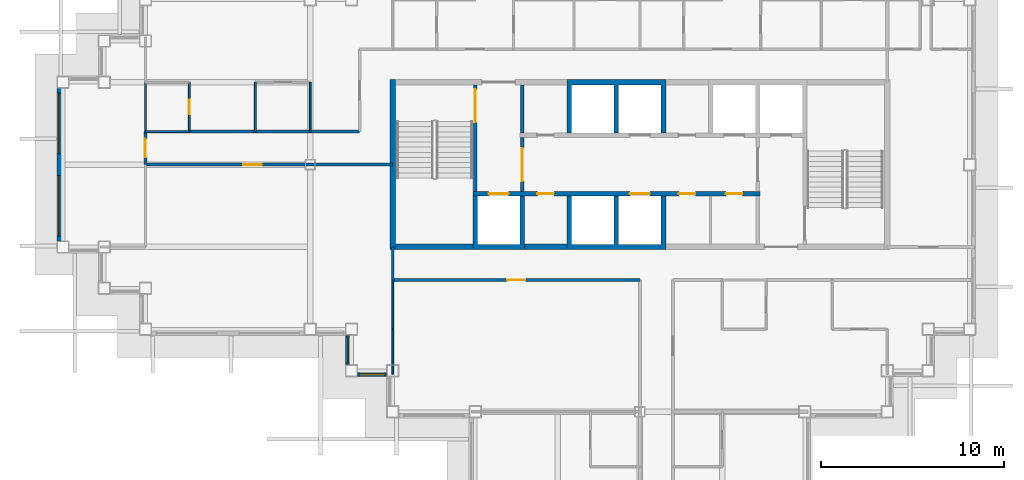
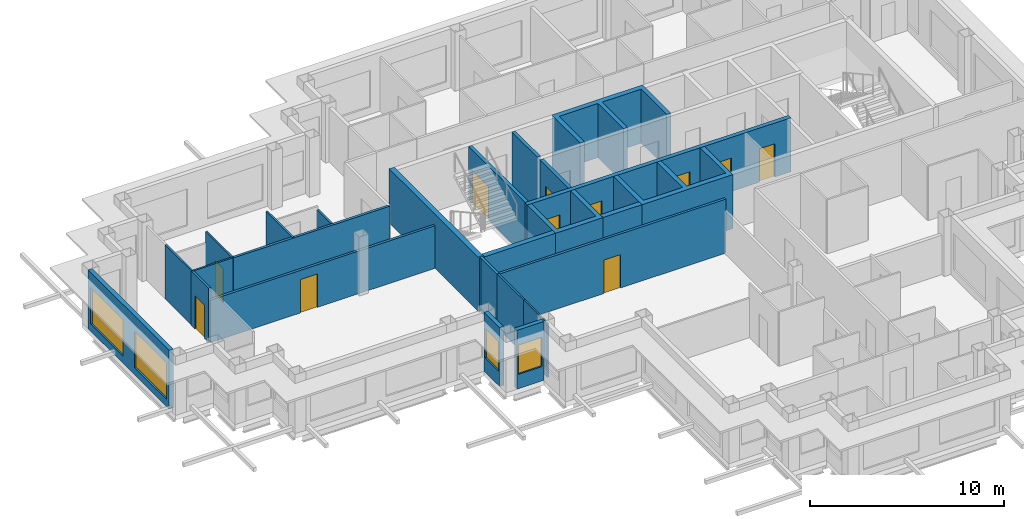
# One storey, part 3 of 12: 25 walls, 11 doors, 4 windows, 15 openings.
"""IFC4 building model written with IfcOpenShell, lengths in metres."""

from ifc_helpers import new_model, si_unit, direction, frame, frame_2d, origin, place, context, subcontext, project, spatial, polyline, rectangle, outline, extrude, material, layer, layer_set, type_object, element, fill, save


model = new_model("IFC4")

# Units and contexts
model_context = context("Model", 3, precision=1e-05, world=origin(), true_north=direction((0.0, 1.0)))
body_context = subcontext(model_context, "Body", "Model", "MODEL_VIEW")
ifc_project = project(units=[si_unit("LENGTHUNIT", "METRE"), si_unit("AREAUNIT", "SQUARE_METRE"), si_unit("VOLUMEUNIT", "CUBIC_METRE"), si_unit("PLANEANGLEUNIT", "RADIAN"), si_unit("MASSUNIT", "GRAM", prefix="KILO")], contexts=[model_context])

# Site, building, storey
site_placement = place(None, origin())
site = spatial("IfcSite", under=ifc_project, at=site_placement, CompositionType="ELEMENT")
building_placement = place(site_placement, origin())
building = spatial("IfcBuilding", under=site, at=building_placement, Name="Caravel Reach Hotel and Residences", CompositionType="ELEMENT")
storey_placement = place(building_placement, frame((0.0, 0.0, 218.300048828125)))
storey = spatial("IfcBuildingStorey", under=building, at=storey_placement, Name="L55", CompositionType="ELEMENT", Elevation=218.300048828125)

# Walls
ifc_material_1 = material(Name="Gypsum board on steel stud", Category="steel")
ifc_layer_1 = layer(ifc_material_1, 0.10009765625)
ifc_layer_set_1 = layer_set([ifc_layer_1], Name="Bathroom pod wall 100 mm")
wall_type_1 = type_object("IfcWallType", Name="Bathroom pod wall 100 mm", PredefinedType="PARTITIONING", material=ifc_layer_set_1)
wall_1_placement = place(storey_placement, frame((4.5, 28.800048828125, 0.0), z_axis=(0.0, 0.0, 1.0), x_axis=(1.0, 0.0, 0.0)))
element("IfcWall", 1, at=wall_1_placement, inside=storey, type_object=wall_type_1, Name="L55 wall w079", PredefinedType="PARTITIONING", context=body_context, shape_type="SweptSolid", body=[
    extrude(rectangle(XDim=2.39990234375, YDim=0.10009765625, at=frame_2d((1.199951171875, 0.0))), origin(), (0.0, 0.0, 1.0), 3.39990234375),
])
wall_2_placement = place(storey_placement, frame((4.5, 28.800048828125, 0.0), z_axis=(0.0, 0.0, 1.0), x_axis=(0.0, 1.0, 0.0)))
element("IfcWall", 2, at=wall_2_placement, inside=storey, type_object=wall_type_1, Name="L55 wall w102", PredefinedType="PARTITIONING", context=body_context, shape_type="SweptSolid", body=[
    extrude(rectangle(XDim=2.699951171875, YDim=0.10009765625, at=frame_2d((1.35009765625, 0.0))), origin(), (0.0, 0.0, 1.0), 3.39990234375),
])

# Wall, opening, door
wall_3_placement = place(storey_placement, frame((6.89990234375, 28.800048828125, 0.0), z_axis=(0.0, 0.0, 1.0), x_axis=(0.0, 1.0, 0.0)))
wall_3 = element("IfcWall", 3, at=wall_3_placement, inside=storey, type_object=wall_type_1, Name="L55 wall w104", PredefinedType="PARTITIONING", context=body_context, shape_type="SweptSolid", body=[
    extrude(rectangle(XDim=2.699951171875, YDim=0.10009765625, at=frame_2d((1.35009765625, 0.0))), origin(), (0.0, 0.0, 1.0), 3.39990234375),
])
opening_1_placement = place(wall_3_placement, frame((0.949951171875, 0.0, 0.0)))
opening_1 = element("IfcOpeningElement", 4, at=opening_1_placement, cuts=wall_3, Name="Opening D55-030", PredefinedType="OPENING", context=body_context, shape_type="SweptSolid", body=[
    extrude(rectangle(XDim=0.800048828125, YDim=2.10009765625, at=frame_2d((0.39990234375, 1.050048828125))), frame((0.0, 0.06005859375, 0.0), z_axis=(0.0, -1.0, 0.0), x_axis=(1.0, 0.0, 0.0)), (0.0, 0.0, 1.0), 0.1201171875),
])
ifc_material_2 = material(Name="Timber and steel door leaf", Category="steel")
door_type_1 = type_object("IfcDoorType", Name="Bathroom door 800 x 2100", OperationType="SINGLE_SWING_LEFT", PredefinedType="DOOR", material=ifc_material_2)
door_1_placement = place(opening_1_placement, origin())
door_1 = element("IfcDoor", 5, at=door_1_placement, inside=storey, type_object=door_type_1, Name="door D55-030", OperationType="SINGLE_SWING_LEFT", OverallHeight=2.10009765625, OverallWidth=0.800048828125, PredefinedType="DOOR", context=body_context, shape_type="SweptSolid", body=[
    extrude(rectangle(XDim=0.800048828125, YDim=2.10009765625, at=frame_2d((0.39990234375, 1.050048828125))), frame((0.0, 0.02490234375, 0.0), z_axis=(0.0, -1.0, 0.0), x_axis=(1.0, 0.0, 0.0)), (0.0, 0.0, 1.0), 0.050048828125),
])
fill(opening_1, door_1)

# Walls
ifc_material_3 = material(Name="Autoclaved aerated block wall")
ifc_layer_2 = layer(ifc_material_3, 0.199951171875)
ifc_layer_set_2 = layer_set([ifc_layer_2], Name="Compartment wall 200 mm EI 120")
wall_type_2 = type_object("IfcWallType", Name="Compartment wall 200 mm EI 120", PredefinedType="PARTITIONING", material=ifc_layer_set_2)
wall_4_placement = place(storey_placement, frame((25.071533203125, 28.72509765625, 0.0), z_axis=(0.0, 0.0, 1.0), x_axis=(0.0, 1.0, 0.0)))
element("IfcWall", 6, at=wall_4_placement, inside=storey, type_object=wall_type_2, Name="L55 store partition", PredefinedType="PARTITIONING", context=body_context, shape_type="SweptSolid", body=[
    extrude(rectangle(XDim=2.625, YDim=0.199951171875, at=frame_2d((1.3125, 0.0))), origin(), (0.0, 0.0, 1.0), 3.39990234375),
])
ifc_material_4 = material(Name="Concrete C60", Category="concrete")
ifc_layer_3 = layer(ifc_material_4, 0.300048828125)
ifc_layer_set_3 = layer_set([ifc_layer_3], Name="Core wall 300 mm EI 120")
wall_type_3 = type_object("IfcWallType", Name="Core wall 300 mm EI 120", PredefinedType="SHEAR", material=ifc_layer_set_3)
wall_5_placement = place(storey_placement, frame((18.14990234375, 22.5, 0.0), z_axis=(0.0, 0.0, 1.0), x_axis=(1.0, 0.0, 0.0)))
element("IfcWall", 7, at=wall_5_placement, inside=storey, type_object=wall_type_3, Name="L55 core wall S1", PredefinedType="SHEAR", context=body_context, shape_type="SweptSolid", body=[
    extrude(rectangle(XDim=4.22509765625, YDim=0.300048828125, at=frame_2d((2.112548828125, 0.0))), origin(), (0.0, 0.0, 1.0), 3.39990234375),
])
wall_6_placement = place(storey_placement, frame((25.196533203125, 22.5, 0.0), z_axis=(0.0, 0.0, 1.0), x_axis=(1.0, 0.0, 0.0)))
element("IfcWall", 8, at=wall_6_placement, inside=storey, type_object=wall_type_3, Name="L55 core wall S2", PredefinedType="SHEAR", context=body_context, shape_type="SweptSolid", body=[
    extrude(rectangle(XDim=2.3212890625, YDim=0.300048828125, at=frame_2d((1.16064453125, 0.0))), origin(), (0.0, 0.0, 1.0), 3.39990234375),
])
wall_7_placement = place(storey_placement, frame((18.0, 22.35009765625, 0.0), z_axis=(0.0, 0.0, 1.0), x_axis=(0.0, 1.0, 0.0)))
element("IfcWall", 9, at=wall_7_placement, inside=storey, type_object=wall_type_3, Name="L55 core wall W", PredefinedType="SHEAR", context=body_context, shape_type="SweptSolid", body=[
    extrude(rectangle(XDim=9.2998046875, YDim=0.300048828125, at=frame_2d((4.64990234375, 0.0))), origin(), (0.0, 0.0, 1.0), 3.39990234375),
])

# Wall, opening, door
ifc_material_5 = material(Name="Gypsum board on steel stud, fire-rated", Category="steel")
ifc_layer_4 = layer(ifc_material_5, 0.14990234375)
ifc_layer_set_4 = layer_set([ifc_layer_4], Name="Corridor wall 150 mm EI 60")
wall_type_4 = type_object("IfcWallType", Name="Corridor wall 150 mm EI 60", PredefinedType="PARTITIONING", material=ifc_layer_set_4)
wall_8_placement = place(storey_placement, frame((18.0, 20.699951171875, 0.0), z_axis=(0.0, 0.0, 1.0), x_axis=(1.0, 0.0, 0.0)))
wall_8 = element("IfcWall", 10, at=wall_8_placement, inside=storey, type_object=wall_type_4, Name="L55 wall w005", PredefinedType="PARTITIONING", context=body_context, shape_type="SweptSolid", body=[
    extrude(rectangle(XDim=13.5, YDim=0.14990234375, at=frame_2d((6.75, 0.0))), origin(), (0.0, 0.0, 1.0), 3.39990234375),
])
opening_2_placement = place(wall_8_placement, frame((6.25, 0.0, 0.0)))
opening_2 = element("IfcOpeningElement", 11, at=opening_2_placement, cuts=wall_8, Name="Opening D55-033", PredefinedType="OPENING", context=body_context, shape_type="SweptSolid", body=[
    extrude(rectangle(XDim=1.0, YDim=2.10009765625, at=frame_2d((0.5, 1.050048828125))), frame((0.0, 0.0849609375, 0.0), z_axis=(0.0, -1.0, 0.0), x_axis=(1.0, 0.0, 0.0)), (0.0, 0.0, 1.0), 0.169921875),
])
ifc_material_6 = material(Name="Steel fire door leaf", Category="steel")
door_type_2 = type_object("IfcDoorType", Name="Fire door 1000 x 2100 EI 60", OperationType="SINGLE_SWING_LEFT", PredefinedType="DOOR", material=ifc_material_6)
door_2_placement = place(opening_2_placement, origin())
door_2 = element("IfcDoor", 12, at=door_2_placement, inside=storey, type_object=door_type_2, Name="door D55-033", OperationType="SINGLE_SWING_LEFT", OverallHeight=2.10009765625, OverallWidth=1.0, PredefinedType="DOOR", context=body_context, shape_type="SweptSolid", body=[
    extrude(rectangle(XDim=1.0, YDim=2.10009765625, at=frame_2d((0.5, 1.050048828125))), frame((0.0, 0.02490234375, 0.0), z_axis=(0.0, -1.0, 0.0), x_axis=(1.0, 0.0, 0.0)), (0.0, 0.0, 1.0), 0.050048828125),
])
fill(opening_2, door_2)

wall_9_placement = place(storey_placement, frame((4.5, 27.0, 0.0), z_axis=(0.0, 0.0, 1.0), x_axis=(1.0, 0.0, 0.0)))
wall_9 = element("IfcWall", 13, at=wall_9_placement, inside=storey, type_object=wall_type_4, Name="L55 wall w007", PredefinedType="PARTITIONING", context=body_context, shape_type="SweptSolid", body=[
    extrude(rectangle(XDim=13.5, YDim=0.14990234375, at=frame_2d((6.75, 0.0))), origin(), (0.0, 0.0, 1.0), 2.679931640625),
])
opening_3_placement = place(wall_9_placement, frame((5.35009765625, 0.0, 0.0)))
opening_3 = element("IfcOpeningElement", 14, at=opening_3_placement, cuts=wall_9, Name="Opening D55-032", PredefinedType="OPENING", context=body_context, shape_type="SweptSolid", body=[
    extrude(rectangle(XDim=1.0, YDim=2.10009765625, at=frame_2d((0.5, 1.050048828125))), frame((0.0, 0.0849609375, 0.0), z_axis=(0.0, -1.0, 0.0), x_axis=(1.0, 0.0, 0.0)), (0.0, 0.0, 1.0), 0.169921875),
])
door_3_placement = place(opening_3_placement, origin())
door_3 = element("IfcDoor", 15, at=door_3_placement, inside=storey, type_object=door_type_2, Name="door D55-032", OperationType="SINGLE_SWING_LEFT", OverallHeight=2.10009765625, OverallWidth=1.0, PredefinedType="DOOR", context=body_context, shape_type="SweptSolid", body=[
    extrude(rectangle(XDim=1.0, YDim=2.10009765625, at=frame_2d((0.5, 1.050048828125))), frame((0.0, 0.02490234375, 0.0), z_axis=(0.0, -1.0, 0.0), x_axis=(1.0, 0.0, 0.0)), (0.0, 0.0, 1.0), 0.050048828125),
])
fill(opening_3, door_3)

# Walls
wall_10_placement = place(storey_placement, frame((6.89990234375, 28.800048828125, 0.0), z_axis=(0.0, 0.0, 1.0), x_axis=(1.0, 0.0, 0.0)))
element("IfcWall", 16, at=wall_10_placement, inside=storey, type_object=wall_type_4, Name="L55 wall w008", PredefinedType="PARTITIONING", context=body_context, shape_type="SweptSolid", body=[
    extrude(rectangle(XDim=9.299072265625, YDim=0.14990234375, at=frame_2d((4.6494140625, 0.0))), origin(), (0.0, 0.0, 1.0), 3.39990234375),
])
wall_11_placement = place(storey_placement, frame((18.0, 20.699951171875, 0.0), z_axis=(0.0, 0.0, 1.0), x_axis=(0.0, 1.0, 0.0)))
element("IfcWall", 17, at=wall_11_placement, inside=storey, type_object=wall_type_4, Name="L55 wall w020", PredefinedType="PARTITIONING", context=body_context, shape_type="SweptSolid", body=[
    extrude(rectangle(XDim=1.800048828125, YDim=0.14990234375, at=frame_2d((0.89990234375, 0.0))), origin(), (0.0, 0.0, 1.0), 3.39990234375),
])

# Wall, opening, door
wall_12_placement = place(storey_placement, frame((4.5, 27.0, 0.0), z_axis=(0.0, 0.0, 1.0), x_axis=(0.0, 1.0, 0.0)))
wall_12 = element("IfcWall", 18, at=wall_12_placement, inside=storey, type_object=wall_type_4, Name="L55 wall w027", PredefinedType="PARTITIONING", context=body_context, shape_type="SweptSolid", body=[
    extrude(rectangle(XDim=1.800048828125, YDim=0.14990234375, at=frame_2d((0.89990234375, 0.0))), origin(), (0.0, 0.0, 1.0), 3.39990234375),
])
opening_4_placement = place(wall_12_placement, frame((0.39990234375, 0.0, 0.0)))
opening_4 = element("IfcOpeningElement", 19, at=opening_4_placement, cuts=wall_12, Name="Opening D55-043", PredefinedType="OPENING", context=body_context, shape_type="SweptSolid", body=[
    extrude(rectangle(XDim=1.0, YDim=2.10009765625, at=frame_2d((0.5, 1.050048828125))), frame((0.0, 0.0849609375, 0.0), z_axis=(0.0, -1.0, 0.0), x_axis=(1.0, 0.0, 0.0)), (0.0, 0.0, 1.0), 0.169921875),
])
door_4_placement = place(opening_4_placement, origin())
door_4 = element("IfcDoor", 20, at=door_4_placement, inside=storey, type_object=door_type_2, Name="door D55-043", OperationType="SINGLE_SWING_RIGHT", OverallHeight=2.10009765625, OverallWidth=1.0, PredefinedType="DOOR", context=body_context, shape_type="SweptSolid", body=[
    extrude(rectangle(XDim=1.0, YDim=2.10009765625, at=frame_2d((0.5, 1.050048828125))), frame((0.0, 0.02490234375, 0.0), z_axis=(0.0, -1.0, 0.0), x_axis=(1.0, 0.0, 0.0)), (0.0, 0.0, 1.0), 0.050048828125),
])
fill(opening_4, door_4)

# Wall, openings, windows
ifc_material_7 = material(Name="Insulated rainscreen wall, aluminium cladding", Category="aluminium")
ifc_layer_5 = layer(ifc_material_7, 0.25)
ifc_layer_set_5 = layer_set([ifc_layer_5], Name="EW1 Tower rainscreen wall")
wall_type_5 = type_object("IfcWallType", Name="EW1 Tower rainscreen wall", PredefinedType="SOLIDWALL", material=ifc_layer_set_5)
wall_13_placement = place(storey_placement, frame((-0.199951171875, 31.175048828125, 0.0), z_axis=(0.0, 0.0, 1.0), x_axis=(0.0, -1.0, 0.0)))
wall_13 = element("IfcWall", 21, at=wall_13_placement, inside=storey, type_object=wall_type_5, Name="External wall L55 W20.1", PredefinedType="SOLIDWALL", context=body_context, shape_type="SweptSolid", body=[
    extrude(rectangle(XDim=8.35009765625, YDim=0.25, at=frame_2d((4.175048828125, 0.0))), origin(), (0.0, 0.0, 1.0), 3.699951171875),
])
opening_5_placement = place(wall_13_placement, frame((0.27490234375, 0.0, 0.449951171875)))
opening_5 = element("IfcOpeningElement", 22, at=opening_5_placement, cuts=wall_13, Name="Opening WN15", PredefinedType="OPENING", context=body_context, shape_type="SweptSolid", body=[
    extrude(rectangle(XDim=3.300048828125, YDim=2.300048828125, at=frame_2d((1.64990234375, 1.14990234375))), frame((0.0, 0.135009765625, 0.0), z_axis=(0.0, -1.0, 0.0), x_axis=(1.0, 0.0, 0.0)), (0.0, 0.0, 1.0), 0.27001953125),
])
opening_6_placement = place(wall_13_placement, frame((4.77490234375, 0.0, 0.449951171875)))
opening_6 = element("IfcOpeningElement", 23, at=opening_6_placement, cuts=wall_13, Name="Opening WN15", PredefinedType="OPENING", context=body_context, shape_type="SweptSolid", body=[
    extrude(rectangle(XDim=3.300048828125, YDim=2.300048828125, at=frame_2d((1.64990234375, 1.14990234375))), frame((0.0, 0.135009765625, 0.0), z_axis=(0.0, -1.0, 0.0), x_axis=(1.0, 0.0, 0.0)), (0.0, 0.0, 1.0), 0.27001953125),
])
ifc_material_8 = material(Name="Dark low-e glazing in black aluminium frame", Category="aluminium")
window_type_1 = type_object("IfcWindowType", Name="Residence living window 3300 x 2300", PartitioningType="SINGLE_PANEL", PredefinedType="WINDOW", material=ifc_material_8)
window_1_placement = place(opening_5_placement, origin())
window_1 = element("IfcWindow", 24, at=window_1_placement, inside=storey, type_object=window_type_1, Name="Window L55 W20.1.1", OverallHeight=2.300048828125, OverallWidth=3.300048828125, PartitioningType="SINGLE_PANEL", PredefinedType="WINDOW", context=body_context, shape_type="SweptSolid", body=[
    extrude(rectangle(XDim=3.300048828125, YDim=2.300048828125, at=frame_2d((1.64990234375, 1.14990234375))), frame((0.0, 0.030029296875, 0.0), z_axis=(0.0, -1.0, 0.0), x_axis=(1.0, 0.0, 0.0)), (0.0, 0.0, 1.0), 0.06005859375),
])
fill(opening_5, window_1)
window_2_placement = place(opening_6_placement, origin())
window_2 = element("IfcWindow", 25, at=window_2_placement, inside=storey, type_object=window_type_1, Name="Window L55 W20.1.2", OverallHeight=2.300048828125, OverallWidth=3.300048828125, PartitioningType="SINGLE_PANEL", PredefinedType="WINDOW", context=body_context, shape_type="SweptSolid", body=[
    extrude(rectangle(XDim=3.300048828125, YDim=2.300048828125, at=frame_2d((1.64990234375, 1.14990234375))), frame((0.0, 0.030029296875, 0.0), z_axis=(0.0, -1.0, 0.0), x_axis=(1.0, 0.0, 0.0)), (0.0, 0.0, 1.0), 0.06005859375),
])
fill(opening_6, window_2)

# Wall, opening, window
wall_14_placement = place(storey_placement, frame((15.550048828125, 17.675048828125, 0.0), z_axis=(0.0, 0.0, 1.0), x_axis=(0.0, -1.0, 0.0)))
wall_14 = element("IfcWall", 26, at=wall_14_placement, inside=storey, type_object=wall_type_5, Name="External wall L55 W26.1", PredefinedType="SOLIDWALL", context=body_context, shape_type="SweptSolid", body=[
    extrude(rectangle(XDim=1.60009765625, YDim=0.25, at=frame_2d((0.800048828125, 0.0))), origin(), (0.0, 0.0, 1.0), 3.699951171875),
])
opening_7_placement = place(wall_14_placement, frame((0.10009765625, 0.0, 0.89990234375)))
opening_7 = element("IfcOpeningElement", 27, at=opening_7_placement, cuts=wall_14, Name="Opening WN22", PredefinedType="OPENING", context=body_context, shape_type="SweptSolid", body=[
    extrude(rectangle(XDim=1.39990234375, YDim=1.85009765625, at=frame_2d((0.699951171875, 0.925048828125))), frame((0.0, 0.135009765625, 0.0), z_axis=(0.0, -1.0, 0.0), x_axis=(1.0, 0.0, 0.0)), (0.0, 0.0, 1.0), 0.27001953125),
])
ifc_material_9 = material(Name="Dark low-e glazing in black aluminium frame", Category="aluminium")
window_type_2 = type_object("IfcWindowType", Name="Residence bedroom window 1400 x 1850", PartitioningType="SINGLE_PANEL", PredefinedType="WINDOW", material=ifc_material_9)
window_3_placement = place(opening_7_placement, origin())
window_3 = element("IfcWindow", 28, at=window_3_placement, inside=storey, type_object=window_type_2, Name="Window L55 W26.1.1", OverallHeight=1.85009765625, OverallWidth=1.39990234375, PartitioningType="SINGLE_PANEL", PredefinedType="WINDOW", context=body_context, shape_type="SweptSolid", body=[
    extrude(rectangle(XDim=1.39990234375, YDim=1.85009765625, at=frame_2d((0.699951171875, 0.925048828125))), frame((0.0, 0.030029296875, 0.0), z_axis=(0.0, -1.0, 0.0), x_axis=(1.0, 0.0, 0.0)), (0.0, 0.0, 1.0), 0.06005859375),
])
fill(opening_7, window_3)

wall_15_placement = place(storey_placement, frame((16.074951171875, 15.550048828125, 0.0), z_axis=(0.0, 0.0, 1.0), x_axis=(1.0, 0.0, 0.0)))
wall_15 = element("IfcWall", 29, at=wall_15_placement, inside=storey, type_object=wall_type_5, Name="External wall L55 S27.1", PredefinedType="SOLIDWALL", context=body_context, shape_type="SweptSolid", body=[
    extrude(rectangle(XDim=1.60009765625, YDim=0.25, at=frame_2d((0.800048828125, 0.0))), origin(), (0.0, 0.0, 1.0), 3.699951171875),
])
opening_8_placement = place(wall_15_placement, frame((0.10009765625, 0.0, 0.89990234375)))
opening_8 = element("IfcOpeningElement", 30, at=opening_8_placement, cuts=wall_15, Name="Opening WN22", PredefinedType="OPENING", context=body_context, shape_type="SweptSolid", body=[
    extrude(rectangle(XDim=1.39990234375, YDim=1.85009765625, at=frame_2d((0.699951171875, 0.925048828125))), frame((0.0, 0.135009765625, 0.0), z_axis=(0.0, -1.0, 0.0), x_axis=(1.0, 0.0, 0.0)), (0.0, 0.0, 1.0), 0.27001953125),
])
window_4_placement = place(opening_8_placement, origin())
window_4 = element("IfcWindow", 31, at=window_4_placement, inside=storey, type_object=window_type_2, Name="Window L55 S27.1.1", OverallHeight=1.85009765625, OverallWidth=1.39990234375, PartitioningType="SINGLE_PANEL", PredefinedType="WINDOW", context=body_context, shape_type="SweptSolid", body=[
    extrude(rectangle(XDim=1.39990234375, YDim=1.85009765625, at=frame_2d((0.699951171875, 0.925048828125))), frame((0.0, 0.030029296875, 0.0), z_axis=(0.0, -1.0, 0.0), x_axis=(1.0, 0.0, 0.0)), (0.0, 0.0, 1.0), 0.06005859375),
])
fill(opening_8, window_4)

# Wall, opening, door
ifc_material_10 = material(Name="Autoclaved aerated block wall")
ifc_layer_6 = layer(ifc_material_10, 0.199951171875)
ifc_layer_set_6 = layer_set([ifc_layer_6], Name="Fire lobby wall 200 mm EI 120")
wall_type_6 = type_object("IfcWallType", Name="Fire lobby wall 200 mm EI 120", PredefinedType="PARTITIONING", material=ifc_layer_set_6)
wall_16_placement = place(storey_placement, frame((25.071533203125, 25.52490234375, 0.0), z_axis=(0.0, 0.0, 1.0), x_axis=(0.0, 1.0, 0.0)))
wall_16 = element("IfcWall", 32, at=wall_16_placement, inside=storey, type_object=wall_type_6, Name="L55 lobby W wall", PredefinedType="PARTITIONING", context=body_context, shape_type="SweptSolid", body=[
    extrude(rectangle(XDim=2.9501953125, YDim=0.199951171875, at=frame_2d((1.47509765625, 0.0))), origin(), (0.0, 0.0, 1.0), 3.39990234375),
])
opening_9_placement = place(wall_16_placement, frame((0.574951171875, 0.0, 0.0)))
opening_9 = element("IfcOpeningElement", 33, at=opening_9_placement, cuts=wall_16, Name="Opening D55-013", PredefinedType="OPENING", context=body_context, shape_type="SweptSolid", body=[
    extrude(rectangle(XDim=1.800048828125, YDim=2.10009765625, at=frame_2d((0.89990234375, 1.050048828125))), frame((0.0, 0.10986328125, 0.0), z_axis=(0.0, -1.0, 0.0), x_axis=(1.0, 0.0, 0.0)), (0.0, 0.0, 1.0), 0.219970703125),
])
ifc_material_11 = material(Name="Steel fire door leaf", Category="steel")
door_type_3 = type_object("IfcDoorType", Name="Fire lobby door pair 1800 x 2100 EI 90", OperationType="DOUBLE_DOOR_SINGLE_SWING", PredefinedType="DOOR", material=ifc_material_11)
door_5_placement = place(opening_9_placement, origin())
door_5 = element("IfcDoor", 34, at=door_5_placement, inside=storey, type_object=door_type_3, Name="lobby W door pair", OperationType="DOUBLE_DOOR_SINGLE_SWING", OverallHeight=2.10009765625, OverallWidth=1.800048828125, PredefinedType="DOOR", context=body_context, shape_type="SweptSolid", body=[
    extrude(rectangle(XDim=1.800048828125, YDim=2.10009765625, at=frame_2d((0.89990234375, 1.050048828125))), frame((0.0, 0.02490234375, 0.0), z_axis=(0.0, -1.0, 0.0), x_axis=(1.0, 0.0, 0.0)), (0.0, 0.0, 1.0), 0.050048828125),
])
fill(opening_9, door_5)

# Walls
ifc_material_12 = material(Name="Gypsum board on steel stud", Category="steel")
ifc_layer_7 = layer(ifc_material_12, 0.10009765625)
ifc_layer_set_7 = layer_set([ifc_layer_7], Name="Partition 100 mm")
wall_type_7 = type_object("IfcWallType", Name="Partition 100 mm", PredefinedType="PARTITIONING", material=ifc_layer_set_7)
wall_17_placement = place(storey_placement, frame((10.5, 28.800048828125, 0.0), z_axis=(0.0, 0.0, 1.0), x_axis=(0.0, 1.0, 0.0)))
element("IfcWall", 35, at=wall_17_placement, inside=storey, type_object=wall_type_7, Name="L55 wall w047", PredefinedType="PARTITIONING", context=body_context, shape_type="SweptSolid", body=[
    extrude(rectangle(XDim=2.699951171875, YDim=0.10009765625, at=frame_2d((1.35009765625, 0.0))), origin(), (0.0, 0.0, 1.0), 3.39990234375),
])
wall_18_placement = place(storey_placement, frame((13.5, 28.801025390625, 0.0), z_axis=(0.0, 0.0, 1.0), x_axis=(0.0, 1.0, 0.0)))
element("IfcWall", 36, at=wall_18_placement, inside=storey, type_object=wall_type_7, Name="L55 wall w048", PredefinedType="PARTITIONING", context=body_context, shape_type="SweptSolid", body=[
    extrude(rectangle(XDim=2.698974609375, YDim=0.10009765625, at=frame_2d((1.349609375, 0.0))), origin(), (0.0, 0.0, 1.0), 2.47998046875),
])
wall_19_placement = place(storey_placement, frame((18.0, 15.56005859375, 0.0), z_axis=(0.0, 0.0, 1.0), x_axis=(0.0, 1.0, 0.0)))
element("IfcWall", 37, at=wall_19_placement, inside=storey, type_object=wall_type_7, Name="L55 wall w049", PredefinedType="PARTITIONING", context=body_context, shape_type="SweptSolid", body=[
    extrude(rectangle(XDim=2.43896484375, YDim=0.10009765625, at=frame_2d((1.219482421875, 0.0))), origin(), (0.0, 0.0, 1.0), 3.39990234375),
])
wall_20_placement = place(storey_placement, frame((18.0, 18.0, 0.0), z_axis=(0.0, 0.0, 1.0), x_axis=(0.0, 1.0, 0.0)))
element("IfcWall", 38, at=wall_20_placement, inside=storey, type_object=wall_type_7, Name="L55 wall w050", PredefinedType="PARTITIONING", context=body_context, shape_type="SweptSolid", body=[
    extrude(rectangle(XDim=2.699951171875, YDim=0.10009765625, at=frame_2d((1.35009765625, 0.0))), origin(), (0.0, 0.0, 1.0), 3.39990234375),
])
ifc_material_13 = material(Name="Concrete C60", Category="concrete")
ifc_layer_8 = layer(ifc_material_13, 0.25)
ifc_layer_set_8 = layer_set([ifc_layer_8], Name="Shaft wall 250 mm EI 120")
wall_type_8 = type_object("IfcWallType", Name="Shaft wall 250 mm EI 120", PredefinedType="SHEAR", material=ifc_layer_set_8)
wall_21_placement = place(storey_placement, origin())
element("IfcWall", 39, at=wall_21_placement, inside=storey, type_object=wall_type_8, Name="L55 lift shaft wall S1", PredefinedType="SHEAR", context=body_context, shape_type="SweptSolid", body=[
    extrude(outline(polyline([(22.375, 22.35009765625), (25.196533203125, 22.35009765625), (25.196533203125, 25.27490234375), (24.946533203125, 25.27490234375), (24.946533203125, 22.64990234375), (22.625, 22.64990234375), (22.625, 25.27490234375), (22.375, 25.27490234375), (22.375, 22.35009765625)])), origin(), (0.0, 0.0, 1.0), 3.39990234375),
])
wall_22_placement = place(storey_placement, origin())
element("IfcWall", 40, at=wall_22_placement, inside=storey, type_object=wall_type_8, Name="L55 lift shaft wall S2", PredefinedType="SHEAR", context=body_context, shape_type="SweptSolid", body=[
    extrude(outline(polyline([(27.517822265625, 22.35009765625), (32.91064453125, 22.35009765625), (32.91064453125, 25.27490234375), (32.66064453125, 25.27490234375), (32.66064453125, 22.64990234375), (30.33935546875, 22.64990234375), (30.33935546875, 25.27490234375), (30.08935546875, 25.27490234375), (30.08935546875, 22.64990234375), (27.767822265625, 22.64990234375), (27.767822265625, 25.27490234375), (27.517822265625, 25.27490234375), (27.517822265625, 22.35009765625)])), origin(), (0.0, 0.0, 1.0), 3.39990234375),
])
wall_23_placement = place(storey_placement, origin())
element("IfcWall", 41, at=wall_23_placement, inside=storey, type_object=wall_type_8, Name="L55 lift shaft wall N1", PredefinedType="SHEAR", context=body_context, shape_type="SweptSolid", body=[
    extrude(outline(polyline([(27.517822265625, 28.72509765625), (27.767822265625, 28.72509765625), (27.767822265625, 31.35009765625), (30.08935546875, 31.35009765625), (30.08935546875, 28.72509765625), (30.33935546875, 28.72509765625), (30.33935546875, 31.35009765625), (32.66064453125, 31.35009765625), (32.66064453125, 28.72509765625), (32.91064453125, 28.72509765625), (32.91064453125, 31.64990234375), (27.517822265625, 31.64990234375), (27.517822265625, 28.72509765625)])), origin(), (0.0, 0.0, 1.0), 3.39990234375),
])

# Wall, openings, doors
wall_24_placement = place(storey_placement, frame((22.375, 25.39990234375, 0.0), z_axis=(0.0, 0.0, 1.0), x_axis=(1.0, 0.0, 0.0)))
wall_24 = element("IfcWall", 42, at=wall_24_placement, inside=storey, type_object=wall_type_8, Name="L55 lobby wall S1", PredefinedType="SHEAR", context=body_context, shape_type="SweptSolid", body=[
    extrude(rectangle(XDim=15.678466796875, YDim=0.25, at=frame_2d((7.83935546875, 0.0))), origin(), (0.0, 0.0, 1.0), 3.39990234375),
])
opening_10_placement = place(wall_24_placement, frame((8.574951171875, 0.0, 0.0)))
opening_10 = element("IfcOpeningElement", 43, at=opening_10_placement, cuts=wall_24, Name="Opening D55-001", PredefinedType="OPENING", context=body_context, shape_type="SweptSolid", body=[
    extrude(rectangle(XDim=1.10009765625, YDim=2.10009765625, at=frame_2d((0.550048828125, 1.050048828125))), frame((0.0, 0.135009765625, 0.0), z_axis=(0.0, -1.0, 0.0), x_axis=(1.0, 0.0, 0.0)), (0.0, 0.0, 1.0), 0.27001953125),
])
opening_11_placement = place(wall_24_placement, frame((0.860595703125, 0.0, 0.0)))
opening_11 = element("IfcOpeningElement", 44, at=opening_11_placement, cuts=wall_24, Name="Opening D55-004", PredefinedType="OPENING", context=body_context, shape_type="SweptSolid", body=[
    extrude(rectangle(XDim=1.10009765625, YDim=2.10009765625, at=frame_2d((0.550048828125, 1.050048828125))), frame((0.0, 0.135009765625, 0.0), z_axis=(0.0, -1.0, 0.0), x_axis=(1.0, 0.0, 0.0)), (0.0, 0.0, 1.0), 0.27001953125),
])
opening_12_placement = place(wall_24_placement, frame((3.531982421875, 0.0, 0.0)))
opening_12 = element("IfcOpeningElement", 45, at=opening_12_placement, cuts=wall_24, Name="Opening D55-006", PredefinedType="OPENING", context=body_context, shape_type="SweptSolid", body=[
    extrude(rectangle(XDim=0.89990234375, YDim=2.10009765625, at=frame_2d((0.449951171875, 1.050048828125))), frame((0.0, 0.135009765625, 0.0), z_axis=(0.0, -1.0, 0.0), x_axis=(1.0, 0.0, 0.0)), (0.0, 0.0, 1.0), 0.27001953125),
])
opening_13_placement = place(wall_24_placement, frame((11.246337890625, 0.0, 0.0)))
opening_13 = element("IfcOpeningElement", 46, at=opening_13_placement, cuts=wall_24, Name="Opening D55-007", PredefinedType="OPENING", context=body_context, shape_type="SweptSolid", body=[
    extrude(rectangle(XDim=0.89990234375, YDim=2.10009765625, at=frame_2d((0.449951171875, 1.050048828125))), frame((0.0, 0.135009765625, 0.0), z_axis=(0.0, -1.0, 0.0), x_axis=(1.0, 0.0, 0.0)), (0.0, 0.0, 1.0), 0.27001953125),
])
opening_14_placement = place(wall_24_placement, frame((13.81787109375, 0.0, 0.0)))
opening_14 = element("IfcOpeningElement", 47, at=opening_14_placement, cuts=wall_24, Name="Opening D55-008", PredefinedType="OPENING", context=body_context, shape_type="SweptSolid", body=[
    extrude(rectangle(XDim=0.89990234375, YDim=2.10009765625, at=frame_2d((0.449951171875, 1.050048828125))), frame((0.0, 0.135009765625, 0.0), z_axis=(0.0, -1.0, 0.0), x_axis=(1.0, 0.0, 0.0)), (0.0, 0.0, 1.0), 0.27001953125),
])
ifc_material_14 = material(Name="Stainless steel landing door", Category="steel")
door_type_4 = type_object("IfcDoorType", Name="Landing door LD 1100 x 2100 sliding", OperationType="DOUBLE_DOOR_SLIDING", PredefinedType="DOOR", material=ifc_material_14)
door_6_placement = place(opening_10_placement, origin())
door_6 = element("IfcDoor", 48, at=door_6_placement, inside=storey, type_object=door_type_4, Name="MP1 landing door", OperationType="DOUBLE_DOOR_SLIDING", OverallHeight=2.10009765625, OverallWidth=1.10009765625, PredefinedType="DOOR", context=body_context, shape_type="SweptSolid", body=[
    extrude(rectangle(XDim=1.10009765625, YDim=2.10009765625, at=frame_2d((0.550048828125, 1.050048828125))), frame((0.0, 0.02490234375, 0.0), z_axis=(0.0, -1.0, 0.0), x_axis=(1.0, 0.0, 0.0)), (0.0, 0.0, 1.0), 0.050048828125),
])
fill(opening_10, door_6)
door_7_placement = place(opening_11_placement, origin())
door_7 = element("IfcDoor", 49, at=door_7_placement, inside=storey, type_object=door_type_4, Name="FL1 landing door", OperationType="DOUBLE_DOOR_SLIDING", OverallHeight=2.10009765625, OverallWidth=1.10009765625, PredefinedType="DOOR", context=body_context, shape_type="SweptSolid", body=[
    extrude(rectangle(XDim=1.10009765625, YDim=2.10009765625, at=frame_2d((0.550048828125, 1.050048828125))), frame((0.0, 0.02490234375, 0.0), z_axis=(0.0, -1.0, 0.0), x_axis=(1.0, 0.0, 0.0)), (0.0, 0.0, 1.0), 0.050048828125),
])
fill(opening_11, door_7)
ifc_material_15 = material(Name="Steel fire door leaf", Category="steel")
door_type_5 = type_object("IfcDoorType", Name="Riser door 900 x 2100 EI 60", OperationType="SINGLE_SWING_LEFT", PredefinedType="DOOR", material=ifc_material_15)
door_8_placement = place(opening_12_placement, origin())
door_8 = element("IfcDoor", 50, at=door_8_placement, inside=storey, type_object=door_type_5, Name="Linen store door", OperationType="SINGLE_SWING_LEFT", OverallHeight=2.10009765625, OverallWidth=0.89990234375, PredefinedType="DOOR", context=body_context, shape_type="SweptSolid", body=[
    extrude(rectangle(XDim=0.89990234375, YDim=2.10009765625, at=frame_2d((0.449951171875, 1.050048828125))), frame((0.0, 0.02490234375, 0.0), z_axis=(0.0, -1.0, 0.0), x_axis=(1.0, 0.0, 0.0)), (0.0, 0.0, 1.0), 0.050048828125),
])
fill(opening_12, door_8)
door_9_placement = place(opening_13_placement, origin())
door_9 = element("IfcDoor", 51, at=door_9_placement, inside=storey, type_object=door_type_5, Name="Cleaners' room door", OperationType="SINGLE_SWING_LEFT", OverallHeight=2.10009765625, OverallWidth=0.89990234375, PredefinedType="DOOR", context=body_context, shape_type="SweptSolid", body=[
    extrude(rectangle(XDim=0.89990234375, YDim=2.10009765625, at=frame_2d((0.449951171875, 1.050048828125))), frame((0.0, 0.02490234375, 0.0), z_axis=(0.0, -1.0, 0.0), x_axis=(1.0, 0.0, 0.0)), (0.0, 0.0, 1.0), 0.050048828125),
])
fill(opening_13, door_9)
door_10_placement = place(opening_14_placement, origin())
door_10 = element("IfcDoor", 52, at=door_10_placement, inside=storey, type_object=door_type_5, Name="Electrical riser room door", OperationType="SINGLE_SWING_LEFT", OverallHeight=2.10009765625, OverallWidth=0.89990234375, PredefinedType="DOOR", context=body_context, shape_type="SweptSolid", body=[
    extrude(rectangle(XDim=0.89990234375, YDim=2.10009765625, at=frame_2d((0.449951171875, 1.050048828125))), frame((0.0, 0.02490234375, 0.0), z_axis=(0.0, -1.0, 0.0), x_axis=(1.0, 0.0, 0.0)), (0.0, 0.0, 1.0), 0.050048828125),
])
fill(opening_14, door_10)

# Wall, opening, door
ifc_material_16 = material(Name="Concrete C60", Category="concrete")
ifc_layer_9 = layer(ifc_material_16, 0.199951171875)
ifc_layer_set_9 = layer_set([ifc_layer_9], Name="Stair enclosure wall 200 mm EI 120")
wall_type_9 = type_object("IfcWallType", Name="Stair enclosure wall 200 mm EI 120", PredefinedType="SHEAR", material=ifc_layer_set_9)
wall_25_placement = place(storey_placement, frame((22.5, 31.35009765625, 0.0), z_axis=(0.0, 0.0, 1.0), x_axis=(0.0, -1.0, 0.0)))
wall_25 = element("IfcWall", 53, at=wall_25_placement, inside=storey, type_object=wall_type_9, Name="L55 stair A wall", PredefinedType="SHEAR", context=body_context, shape_type="SweptSolid", body=[
    extrude(rectangle(XDim=5.8251953125, YDim=0.199951171875, at=frame_2d((2.91259765625, 0.0))), origin(), (0.0, 0.0, 1.0), 3.39990234375),
])
opening_15_placement = place(wall_25_placement, frame((0.25, 0.0, 0.0)))
opening_15 = element("IfcOpeningElement", 54, at=opening_15_placement, cuts=wall_25, Name="Opening D55-011", PredefinedType="OPENING", context=body_context, shape_type="SweptSolid", body=[
    extrude(rectangle(XDim=1.800048828125, YDim=2.10009765625, at=frame_2d((0.89990234375, 1.050048828125))), frame((0.0, 0.10986328125, 0.0), z_axis=(0.0, -1.0, 0.0), x_axis=(1.0, 0.0, 0.0)), (0.0, 0.0, 1.0), 0.219970703125),
])
ifc_material_17 = material(Name="Steel fire door leaf", Category="steel")
door_type_6 = type_object("IfcDoorType", Name="Stair door pair 1800 x 2100 EI 90", OperationType="DOUBLE_DOOR_SINGLE_SWING", PredefinedType="DOOR", material=ifc_material_17)
door_11_placement = place(opening_15_placement, origin())
door_11 = element("IfcDoor", 55, at=door_11_placement, inside=storey, type_object=door_type_6, Name="stair A door pair", OperationType="DOUBLE_DOOR_SINGLE_SWING", OverallHeight=2.10009765625, OverallWidth=1.800048828125, PredefinedType="DOOR", context=body_context, shape_type="SweptSolid", body=[
    extrude(rectangle(XDim=1.800048828125, YDim=2.10009765625, at=frame_2d((0.89990234375, 1.050048828125))), frame((0.0, 0.02490234375, 0.0), z_axis=(0.0, -1.0, 0.0), x_axis=(1.0, 0.0, 0.0)), (0.0, 0.0, 1.0), 0.050048828125),
])
fill(opening_15, door_11)

save(model, "model.ifc")
